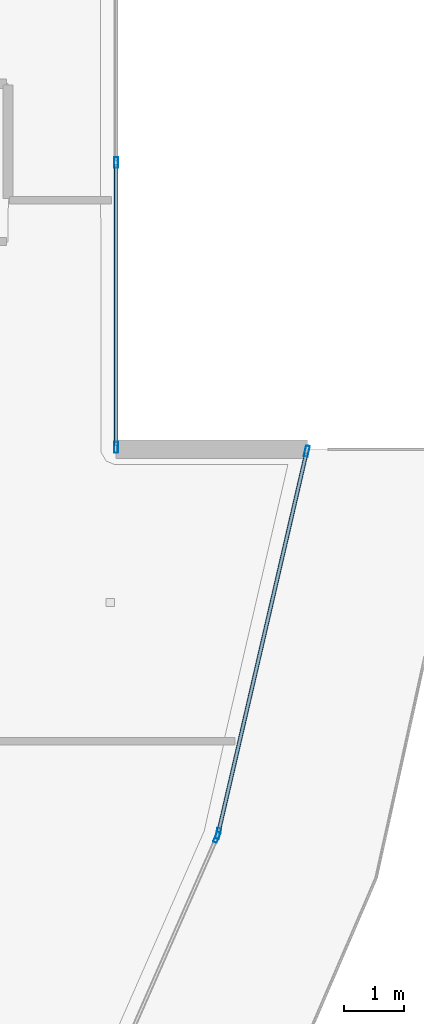
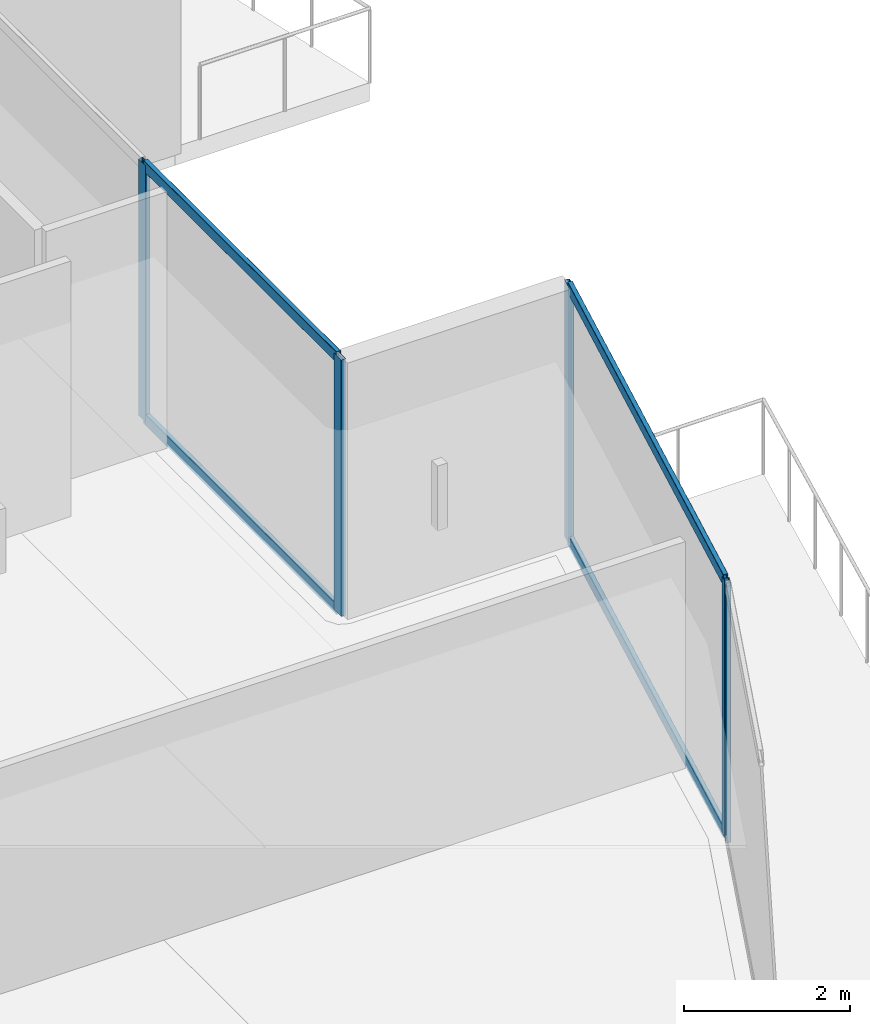
# One storey, part 12 of 39: 9 members, 3 elements without a shape of their own.
"""IFC4 building model written with IfcOpenShell, lengths in metres."""

from ifc_helpers import new_model, si_unit, direction, frame, origin, origin_2d, place, context, subcontext, project, spatial, hollow_rectangle, extrude, material, layer, layer_set, material_profile, profile_set, type_object, element, aggregate, save


model = new_model("IFC4")

# Units and contexts
model_context = context("Model", 3, precision=1e-05, world=origin(), true_north=direction((0.0, 1.0)))
body_context = subcontext(model_context, "Body", "Model", "MODEL_VIEW")
ifc_project = project(units=[si_unit("LENGTHUNIT", "METRE"), si_unit("AREAUNIT", "SQUARE_METRE"), si_unit("VOLUMEUNIT", "CUBIC_METRE"), si_unit("PLANEANGLEUNIT", "RADIAN"), si_unit("MASSUNIT", "GRAM", prefix="KILO")], contexts=[model_context])

# Site, building, storey
site_placement = place(None, origin())
site = spatial("IfcSite", under=ifc_project, at=site_placement, CompositionType="ELEMENT")
building_placement = place(site_placement, origin())
building = spatial("IfcBuilding", under=site, at=building_placement, Name="Qorvath Tower", CompositionType="ELEMENT")
storey_placement = place(building_placement, frame((0.0, 0.0, 162.449951171875)))
storey = spatial("IfcBuildingStorey", under=building, at=storey_placement, Name="L37", CompositionType="ELEMENT", Elevation=162.449951171875)

# Curtain wall, member
ifc_material_1 = material(Name="Anodised aluminium and triple low-E glass", Category="aluminium")
ifc_layer = layer(ifc_material_1, 0.179931640625)
ifc_layer_set = layer_set([ifc_layer], Name="CW-SYS-3")
curtain_wall_type = type_object("IfcCurtainWallType", Name="CW-SYS-3", PredefinedType="NOTDEFINED", material=ifc_layer_set)
curtain_wall_1_placement = place(storey_placement, origin())
curtain_wall_1 = element("IfcCurtainWall", 1, at=curtain_wall_1_placement, inside=storey, type_object=curtain_wall_type, Name="Curtain Wall CW-3 CW-T-L37-6.1", PredefinedType="NOTDEFINED")
ifc_material_2 = material(Name="Anodised aluminium 6063-T6", Category="aluminium")
ifc_material_profile_1 = material_profile(ifc_material_2, hollow_rectangle(XDim=0.06494140625, YDim=0.179931640625, WallThickness=0.00341796875, InnerFilletRadius=0.00341796875, OuterFilletRadius=0.007080078125, at=origin_2d()), Name="CWM 180x65")
ifc_profile_set_1 = profile_set([ifc_material_profile_1], Name="Anodised aluminium 6063-T6")
member_type_1 = type_object("IfcMemberType", Name="CWM-180", PredefinedType="MULLION", material=ifc_profile_set_1)
member_1_placement = place(storey_placement, frame((1.749755859375, -11.182861328125, 0.0), z_axis=(0.0, 0.0, 1.0), x_axis=(-0.915662747354, 0.401947425802, 0.0)))
member_1 = element("IfcMember", 2, at=member_1_placement, type_object=member_type_1, Name="CW-3 mullion 2", PredefinedType="MULLION", context=body_context, shape_type="SweptSolid", body=[
    extrude(hollow_rectangle(XDim=0.06494140625, YDim=0.179931640625, WallThickness=0.00341796875, InnerFilletRadius=0.00341796875, OuterFilletRadius=0.007080078125, at=origin_2d()), origin(), (0.0, 0.0, 1.0), 3.780029296875),
])
aggregate(curtain_wall_1, [member_1])

# Curtain wall, members
curtain_wall_2_placement = place(storey_placement, origin())
curtain_wall_2 = element("IfcCurtainWall", 3, at=curtain_wall_2_placement, inside=storey, type_object=curtain_wall_type, Name="Curtain Wall CW-3 CW-T-L37-7.1", PredefinedType="NOTDEFINED")
member_2_placement = place(storey_placement, frame((1.77001953125, -11.121337890625, 0.0), z_axis=(0.0, 0.0, 1.0), x_axis=(-0.974183272316, 0.225758614319, 0.0)))
member_2 = element("IfcMember", 4, at=member_2_placement, type_object=member_type_1, Name="CW-3 mullion 1", PredefinedType="MULLION", context=body_context, shape_type="SweptSolid", body=[
    extrude(hollow_rectangle(XDim=0.06494140625, YDim=0.179931640625, WallThickness=0.00341796875, InnerFilletRadius=0.00341796875, OuterFilletRadius=0.007080078125, at=origin_2d()), origin(), (0.0, 0.0, 1.0), 3.780029296875),
])
member_3_placement = place(storey_placement, frame((3.23876953125, -4.78369140625, 0.0), z_axis=(0.0, 0.0, 1.0), x_axis=(-0.974183272316, 0.225758614319, 0.0)))
member_3 = element("IfcMember", 5, at=member_3_placement, type_object=member_type_1, Name="CW-3 mullion 2", PredefinedType="MULLION", context=body_context, shape_type="SweptSolid", body=[
    extrude(hollow_rectangle(XDim=0.06494140625, YDim=0.179931640625, WallThickness=0.00341796875, InnerFilletRadius=0.00341796875, OuterFilletRadius=0.007080078125, at=origin_2d()), origin(), (0.0, 0.0, 1.0), 3.780029296875),
])

curtain_wall_3_placement = place(storey_placement, origin())
curtain_wall_3 = element("IfcCurtainWall", 6, at=curtain_wall_3_placement, inside=storey, type_object=curtain_wall_type, Name="Curtain Wall CW-3 CW-T-L37-9.1", PredefinedType="NOTDEFINED")
member_4_placement = place(storey_placement, frame((0.077880859375, -4.719482421875, 0.0), z_axis=(0.0, 0.0, 1.0), x_axis=(-1.0, 0.0, 0.0)))
member_4 = element("IfcMember", 7, at=member_4_placement, type_object=member_type_1, Name="CW-3 mullion 1", PredefinedType="MULLION", context=body_context, shape_type="SweptSolid", body=[
    extrude(hollow_rectangle(XDim=0.06494140625, YDim=0.179931640625, WallThickness=0.00341796875, InnerFilletRadius=0.00341796875, OuterFilletRadius=0.007080078125, at=origin_2d()), origin(), (0.0, 0.0, 1.0), 3.780029296875),
])
member_5_placement = place(storey_placement, frame((0.077880859375, 0.0, 0.0), z_axis=(0.0, 0.0, 1.0), x_axis=(-1.0, 0.0, 0.0)))
member_5 = element("IfcMember", 8, at=member_5_placement, type_object=member_type_1, Name="CW-3 mullion 2", PredefinedType="MULLION", context=body_context, shape_type="SweptSolid", body=[
    extrude(hollow_rectangle(XDim=0.06494140625, YDim=0.179931640625, WallThickness=0.00341796875, InnerFilletRadius=0.00341796875, OuterFilletRadius=0.007080078125, at=origin_2d()), origin(), (0.0, 0.0, 1.0), 3.780029296875),
])

# Member
ifc_material_3 = material(Name="Anodised aluminium 6063-T6", Category="aluminium")
ifc_material_profile_2 = material_profile(ifc_material_3, hollow_rectangle(XDim=0.06494140625, YDim=0.159912109375, WallThickness=0.00341796875, InnerFilletRadius=0.00341796875, OuterFilletRadius=0.007080078125, at=origin_2d()), Name="CWT 160x65")
ifc_profile_set_2 = profile_set([ifc_material_profile_2], Name="Anodised aluminium 6063-T6")
member_type_2 = type_object("IfcMemberType", Name="CWT-160", PredefinedType="USERDEFINED", material=ifc_profile_set_2)
member_6_placement = place(storey_placement, frame((1.77734375, -11.08984375, 0.032470703125), z_axis=(0.225767446647, 0.974181225458, 0.0), x_axis=(-0.974181225458, 0.225767446647, 0.0)))
member_6 = element("IfcMember", 9, at=member_6_placement, type_object=member_type_2, Name="CW-3 transom 1.1", ObjectType="TRANSOM", PredefinedType="USERDEFINED", context=body_context, shape_type="SweptSolid", body=[
    extrude(hollow_rectangle(XDim=0.06494140625, YDim=0.159912109375, WallThickness=0.00341796875, InnerFilletRadius=0.00341796875, OuterFilletRadius=0.007080078125, at=origin_2d()), origin(), (0.0, 0.0, 1.0), 6.440673828125),
])

member_7_placement = place(storey_placement, frame((1.77734375, -11.08984375, 3.74755859375), z_axis=(0.225767446647, 0.974181225458, 0.0), x_axis=(-0.974181225458, 0.225767446647, 0.0)))
member_7 = element("IfcMember", 10, at=member_7_placement, type_object=member_type_2, Name="CW-3 transom 1.2", ObjectType="TRANSOM", PredefinedType="USERDEFINED", context=body_context, shape_type="SweptSolid", body=[
    extrude(hollow_rectangle(XDim=0.06494140625, YDim=0.159912109375, WallThickness=0.00341796875, InnerFilletRadius=0.00341796875, OuterFilletRadius=0.007080078125, at=origin_2d()), origin(), (0.0, 0.0, 1.0), 6.440673828125),
])

aggregate(curtain_wall_2, [member_2, member_3, member_6, member_7])

member_8_placement = place(storey_placement, frame((0.077880859375, -4.68701171875, 0.032470703125), z_axis=(0.0, 1.0, 0.0), x_axis=(-1.0, 0.0, 0.0)))
member_8 = element("IfcMember", 11, at=member_8_placement, type_object=member_type_2, Name="CW-3 transom 1.1", ObjectType="TRANSOM", PredefinedType="USERDEFINED", context=body_context, shape_type="SweptSolid", body=[
    extrude(hollow_rectangle(XDim=0.06494140625, YDim=0.159912109375, WallThickness=0.00341796875, InnerFilletRadius=0.00341796875, OuterFilletRadius=0.007080078125, at=origin_2d()), origin(), (0.0, 0.0, 1.0), 4.654541015625),
])

member_9_placement = place(storey_placement, frame((0.077880859375, -4.68701171875, 3.74755859375), z_axis=(0.0, 1.0, 0.0), x_axis=(-1.0, 0.0, 0.0)))
member_9 = element("IfcMember", 12, at=member_9_placement, type_object=member_type_2, Name="CW-3 transom 1.2", ObjectType="TRANSOM", PredefinedType="USERDEFINED", context=body_context, shape_type="SweptSolid", body=[
    extrude(hollow_rectangle(XDim=0.06494140625, YDim=0.159912109375, WallThickness=0.00341796875, InnerFilletRadius=0.00341796875, OuterFilletRadius=0.007080078125, at=origin_2d()), origin(), (0.0, 0.0, 1.0), 4.654541015625),
])

aggregate(curtain_wall_3, [member_4, member_5, member_8, member_9])

save(model, "model.ifc")
